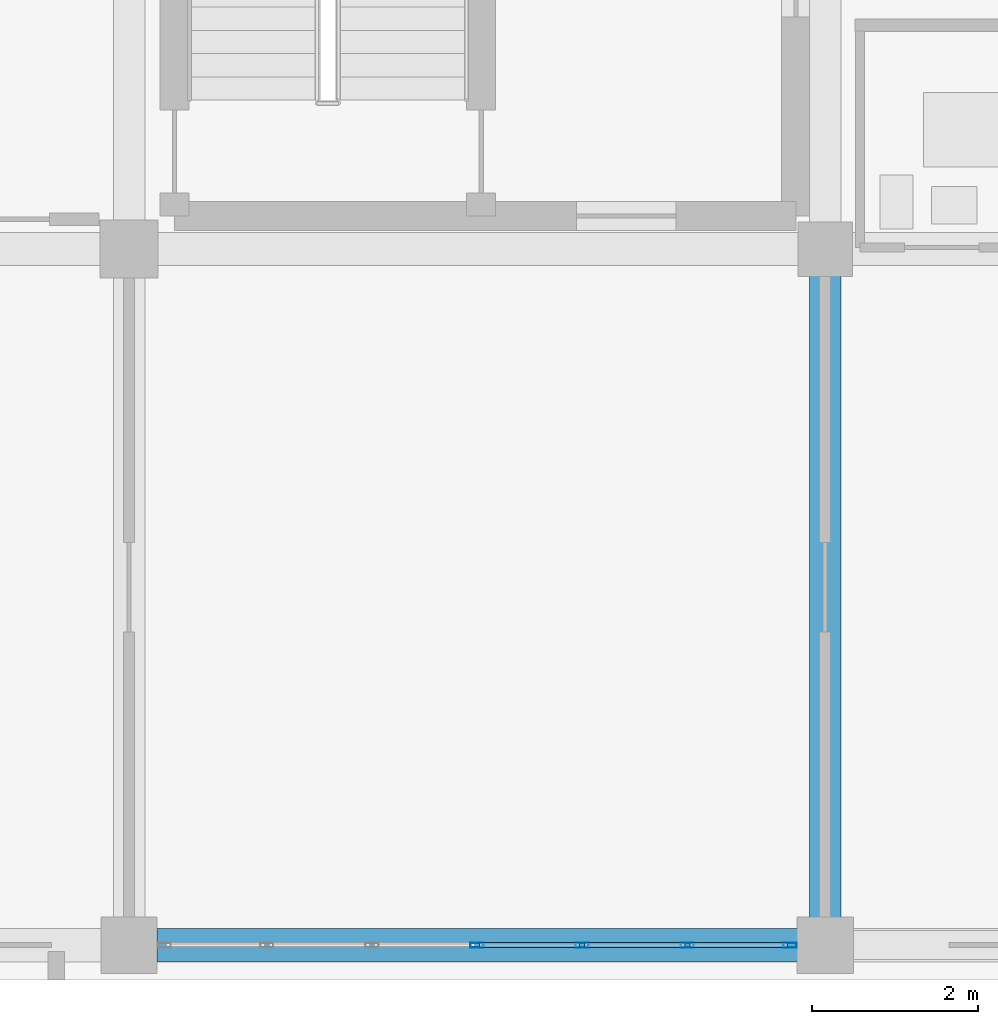
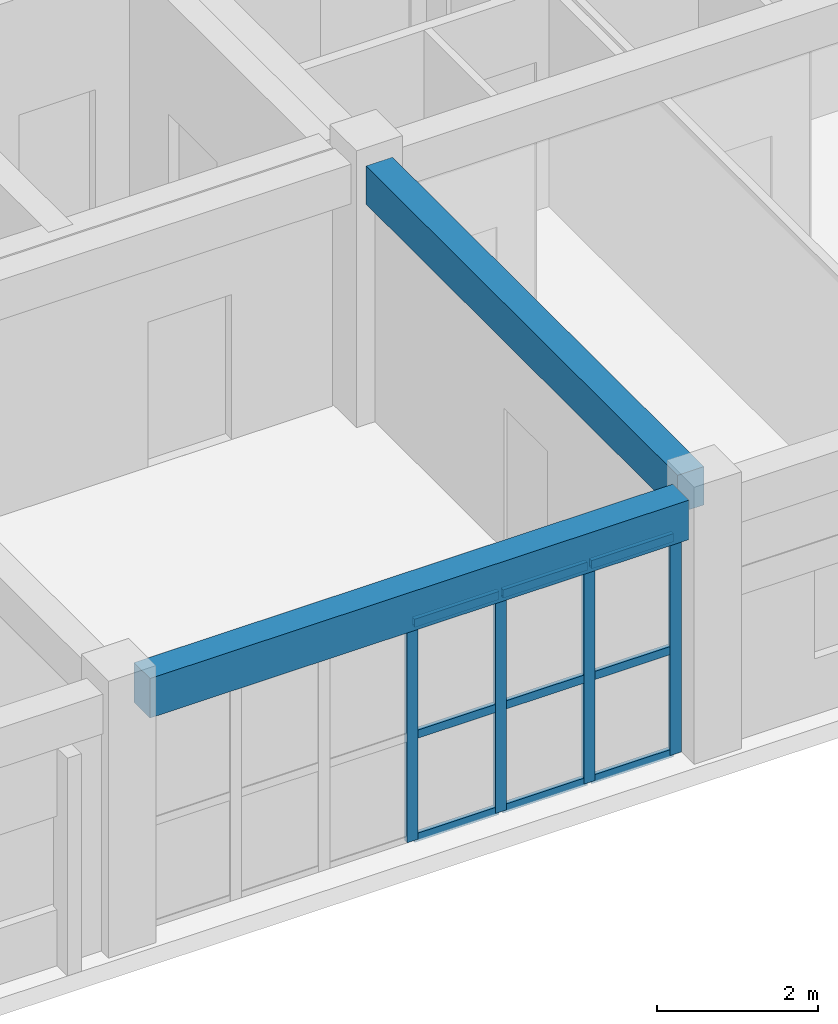
# One storey, part 30 of 140: 13 members, 2 beams, 1 element without a shape of its own.
"""IFC4 building model written with IfcOpenShell, lengths in metres."""

from ifc_helpers import new_model, si_unit, direction, frame, origin, origin_2d, place, context, subcontext, project, spatial, rectangle, hollow_rectangle, extrude, material, layer, layer_set, material_profile, profile_set, type_object, element, aggregate, save


model = new_model("IFC4")

# Units and contexts
model_context = context("Model", 3, precision=1e-05, world=origin(), true_north=direction((0.0, 1.0)))
body_context = subcontext(model_context, "Body", "Model", "MODEL_VIEW")
ifc_project = project(units=[si_unit("LENGTHUNIT", "METRE"), si_unit("AREAUNIT", "SQUARE_METRE"), si_unit("VOLUMEUNIT", "CUBIC_METRE"), si_unit("PLANEANGLEUNIT", "RADIAN"), si_unit("MASSUNIT", "GRAM", prefix="KILO")], contexts=[model_context])

# Site, building, storey
site_placement = place(None, origin())
site = spatial("IfcSite", under=ifc_project, at=site_placement, CompositionType="ELEMENT")
building_placement = place(site_placement, origin())
building = spatial("IfcBuilding", under=site, at=building_placement, Name="Trelvath General Hospital", CompositionType="ELEMENT")
storey_placement = place(building_placement, frame((0.0, 0.0, 16.199951171875)))
storey = spatial("IfcBuildingStorey", under=building, at=storey_placement, Name="L04", CompositionType="ELEMENT", Elevation=16.199951171875)

# Beams
ifc_material_1 = material(Name="Concrete C35/45", Category="concrete")
ifc_material_profile_1 = material_profile(ifc_material_1, rectangle(XDim=0.3798828125, YDim=0.580078125, at=origin_2d()), Name="RCB380x580")
ifc_profile_set_1 = profile_set([ifc_material_profile_1], Name="Concrete C35/45")
beam_type_1 = type_object("IfcBeamType", Name="Beam RC380x580", PredefinedType="BEAM", material=ifc_profile_set_1)
beam_1_placement = place(storey_placement, frame((100.800048828125, 0.3349609375, 3.630126953125), z_axis=(0.0, 1.0, 0.0), x_axis=(-1.0, 0.0, 0.0)))
element("IfcBeam", 1, at=beam_1_placement, inside=storey, type_object=beam_type_1, Name="Grid Beam BY-412A", PredefinedType="BEAM", context=body_context, shape_type="SweptSolid", body=[
    extrude(rectangle(XDim=0.3798828125, YDim=0.580078125, at=origin_2d()), origin(), (0.0, 0.0, 1.0), 7.739990234375),
])
ifc_material_2 = material(Name="Concrete C35/45", Category="concrete")
ifc_material_profile_2 = material_profile(ifc_material_2, rectangle(XDim=0.39990234375, YDim=0.60009765625, at=origin_2d()), Name="RCB400x600")
ifc_profile_set_2 = profile_set([ifc_material_profile_2], Name="Concrete C35/45")
beam_type_2 = type_object("IfcBeamType", Name="Beam RC400x600", PredefinedType="BEAM", material=ifc_profile_set_2)
beam_2_placement = place(storey_placement, frame((92.735107421875, 0.0, 3.6201171875), z_axis=(1.0, 0.0, 0.0), x_axis=(0.0, 1.0, 0.0)))
element("IfcBeam", 2, at=beam_2_placement, inside=storey, type_object=beam_type_2, Name="Grid Beam BX-411A", PredefinedType="BEAM", context=body_context, shape_type="SweptSolid", body=[
    extrude(rectangle(XDim=0.39990234375, YDim=0.60009765625, at=origin_2d()), origin(), (0.0, 0.0, 1.0), 7.72998046875),
])

# Curtain wall, members
ifc_material_3 = material(Name="Anodised aluminium and low-E glass", Category="aluminium")
ifc_layer = layer(ifc_material_3, 0.14990234375)
ifc_layer_set = layer_set([ifc_layer], Name="Anodised aluminium and low-E glass")
curtain_wall_type = type_object("IfcCurtainWallType", Name="CW Facade 761 332 15", PredefinedType="USERDEFINED", material=ifc_layer_set)
curtain_wall_placement = place(storey_placement, origin())
curtain_wall = element("IfcCurtainWall", 3, at=curtain_wall_placement, inside=storey, type_object=curtain_wall_type, Name="Facade Curtain Wall CW-066", ObjectType="Unitised Glazed Curtain Wall", PredefinedType="USERDEFINED")
ifc_material_4 = material(Name="Anodised aluminium", Category="aluminium")
ifc_material_profile_3 = material_profile(ifc_material_4, hollow_rectangle(XDim=0.06005859375, YDim=0.159912109375, WallThickness=0.00390625, at=origin_2d()), Name="RHS60x160x4")
ifc_profile_set_3 = profile_set([ifc_material_profile_3], Name="Anodised aluminium")
member_type_1 = type_object("IfcMemberType", Name="CurtainMullion 60x160", PredefinedType="MULLION", material=ifc_profile_set_3)
member_1_placement = place(storey_placement, frame((100.375, 0.0, 0.0), z_axis=(0.0, 0.0, 1.0), x_axis=(0.0, -1.0, 0.0)))
member_1 = element("IfcMember", 4, at=member_1_placement, type_object=member_type_1, Name="CW-066 mullion 1", PredefinedType="MULLION", context=body_context, shape_type="SweptSolid", body=[
    extrude(hollow_rectangle(XDim=0.06005859375, YDim=0.159912109375, WallThickness=0.00390625, at=origin_2d()), origin(), (0.0, 0.0, 1.0), 3.320068359375),
])
member_2_placement = place(storey_placement, frame((99.13671875, 0.0, 0.0), z_axis=(0.0, 0.0, 1.0), x_axis=(0.0, -1.0, 0.0)))
member_2 = element("IfcMember", 5, at=member_2_placement, type_object=member_type_1, Name="CW-066 mullion 2", PredefinedType="MULLION", context=body_context, shape_type="SweptSolid", body=[
    extrude(hollow_rectangle(XDim=0.06005859375, YDim=0.159912109375, WallThickness=0.00390625, at=origin_2d()), origin(), (0.0, 0.0, 1.0), 3.320068359375),
])
member_3_placement = place(storey_placement, frame((97.868408203125, 0.0, 0.0), z_axis=(0.0, 0.0, 1.0), x_axis=(0.0, -1.0, 0.0)))
member_3 = element("IfcMember", 6, at=member_3_placement, type_object=member_type_1, Name="CW-066 mullion 3", PredefinedType="MULLION", context=body_context, shape_type="SweptSolid", body=[
    extrude(hollow_rectangle(XDim=0.06005859375, YDim=0.159912109375, WallThickness=0.00390625, at=origin_2d()), origin(), (0.0, 0.0, 1.0), 3.320068359375),
])
member_4_placement = place(storey_placement, frame((96.60009765625, 0.0, 0.0), z_axis=(0.0, 0.0, 1.0), x_axis=(0.0, -1.0, 0.0)))
member_4 = element("IfcMember", 7, at=member_4_placement, type_object=member_type_1, Name="CW-066 mullion 4", PredefinedType="MULLION", context=body_context, shape_type="SweptSolid", body=[
    extrude(hollow_rectangle(XDim=0.06005859375, YDim=0.159912109375, WallThickness=0.00390625, at=origin_2d()), origin(), (0.0, 0.0, 1.0), 3.320068359375),
])
ifc_material_5 = material(Name="Anodised aluminium", Category="aluminium")
ifc_material_profile_4 = material_profile(ifc_material_5, hollow_rectangle(XDim=0.06005859375, YDim=0.125, WallThickness=0.00390625, at=origin_2d()), Name="RHS60x125x4")
ifc_profile_set_4 = profile_set([ifc_material_profile_4], Name="Anodised aluminium")
member_type_2 = type_object("IfcMemberType", Name="CurtainTransom 60x125", PredefinedType="USERDEFINED", material=ifc_profile_set_4)
member_5_placement = place(storey_placement, frame((100.344970703125, 0.0, 0.030029296875), z_axis=(-1.0, 0.0, 0.0), x_axis=(0.0, -1.0, 0.0)))
member_5 = element("IfcMember", 8, at=member_5_placement, type_object=member_type_2, Name="CW-066 transom 1.1", ObjectType="TRANSOM", PredefinedType="USERDEFINED", context=body_context, shape_type="SweptSolid", body=[
    extrude(hollow_rectangle(XDim=0.06005859375, YDim=0.125, WallThickness=0.00390625, at=origin_2d()), origin(), (0.0, 0.0, 1.0), 1.17822265625),
])
member_6_placement = place(storey_placement, frame((100.344970703125, 0.0, 1.593994140625), z_axis=(-1.0, 0.0, 0.0), x_axis=(0.0, -1.0, 0.0)))
member_6 = element("IfcMember", 9, at=member_6_placement, type_object=member_type_2, Name="CW-066 transom 1.2", ObjectType="TRANSOM", PredefinedType="USERDEFINED", context=body_context, shape_type="SweptSolid", body=[
    extrude(hollow_rectangle(XDim=0.06005859375, YDim=0.125, WallThickness=0.00390625, at=origin_2d()), origin(), (0.0, 0.0, 1.0), 1.17822265625),
])
member_7_placement = place(storey_placement, frame((100.344970703125, 0.0, 3.2900390625), z_axis=(-1.0, 0.0, 0.0), x_axis=(0.0, -1.0, 0.0)))
member_7 = element("IfcMember", 10, at=member_7_placement, type_object=member_type_2, Name="CW-066 transom 1.3", ObjectType="TRANSOM", PredefinedType="USERDEFINED", context=body_context, shape_type="SweptSolid", body=[
    extrude(hollow_rectangle(XDim=0.06005859375, YDim=0.125, WallThickness=0.00390625, at=origin_2d()), origin(), (0.0, 0.0, 1.0), 1.17822265625),
])
member_8_placement = place(storey_placement, frame((99.106689453125, 0.0, 0.030029296875), z_axis=(-1.0, 0.0, 0.0), x_axis=(0.0, -1.0, 0.0)))
member_8 = element("IfcMember", 11, at=member_8_placement, type_object=member_type_2, Name="CW-066 transom 2.1", ObjectType="TRANSOM", PredefinedType="USERDEFINED", context=body_context, shape_type="SweptSolid", body=[
    extrude(hollow_rectangle(XDim=0.06005859375, YDim=0.125, WallThickness=0.00390625, at=origin_2d()), origin(), (0.0, 0.0, 1.0), 1.208251953125),
])
member_9_placement = place(storey_placement, frame((99.106689453125, 0.0, 1.593994140625), z_axis=(-1.0, 0.0, 0.0), x_axis=(0.0, -1.0, 0.0)))
member_9 = element("IfcMember", 12, at=member_9_placement, type_object=member_type_2, Name="CW-066 transom 2.2", ObjectType="TRANSOM", PredefinedType="USERDEFINED", context=body_context, shape_type="SweptSolid", body=[
    extrude(hollow_rectangle(XDim=0.06005859375, YDim=0.125, WallThickness=0.00390625, at=origin_2d()), origin(), (0.0, 0.0, 1.0), 1.208251953125),
])
member_10_placement = place(storey_placement, frame((99.106689453125, 0.0, 3.2900390625), z_axis=(-1.0, 0.0, 0.0), x_axis=(0.0, -1.0, 0.0)))
member_10 = element("IfcMember", 13, at=member_10_placement, type_object=member_type_2, Name="CW-066 transom 2.3", ObjectType="TRANSOM", PredefinedType="USERDEFINED", context=body_context, shape_type="SweptSolid", body=[
    extrude(hollow_rectangle(XDim=0.06005859375, YDim=0.125, WallThickness=0.00390625, at=origin_2d()), origin(), (0.0, 0.0, 1.0), 1.208251953125),
])
member_11_placement = place(storey_placement, frame((97.83837890625, 0.0, 0.030029296875), z_axis=(-1.0, 0.0, 0.0), x_axis=(0.0, -1.0, 0.0)))
member_11 = element("IfcMember", 14, at=member_11_placement, type_object=member_type_2, Name="CW-066 transom 3.1", ObjectType="TRANSOM", PredefinedType="USERDEFINED", context=body_context, shape_type="SweptSolid", body=[
    extrude(hollow_rectangle(XDim=0.06005859375, YDim=0.125, WallThickness=0.00390625, at=origin_2d()), origin(), (0.0, 0.0, 1.0), 1.20849609375),
])
member_12_placement = place(storey_placement, frame((97.83837890625, 0.0, 1.593994140625), z_axis=(-1.0, 0.0, 0.0), x_axis=(0.0, -1.0, 0.0)))
member_12 = element("IfcMember", 15, at=member_12_placement, type_object=member_type_2, Name="CW-066 transom 3.2", ObjectType="TRANSOM", PredefinedType="USERDEFINED", context=body_context, shape_type="SweptSolid", body=[
    extrude(hollow_rectangle(XDim=0.06005859375, YDim=0.125, WallThickness=0.00390625, at=origin_2d()), origin(), (0.0, 0.0, 1.0), 1.20849609375),
])
member_13_placement = place(storey_placement, frame((97.83837890625, 0.0, 3.2900390625), z_axis=(-1.0, 0.0, 0.0), x_axis=(0.0, -1.0, 0.0)))
member_13 = element("IfcMember", 16, at=member_13_placement, type_object=member_type_2, Name="CW-066 transom 3.3", ObjectType="TRANSOM", PredefinedType="USERDEFINED", context=body_context, shape_type="SweptSolid", body=[
    extrude(hollow_rectangle(XDim=0.06005859375, YDim=0.125, WallThickness=0.00390625, at=origin_2d()), origin(), (0.0, 0.0, 1.0), 1.20849609375),
])
aggregate(curtain_wall, [member_1, member_2, member_3, member_4, member_5, member_6, member_7, member_8, member_9, member_10, member_11, member_12, member_13])

save(model, "model.ifc")
